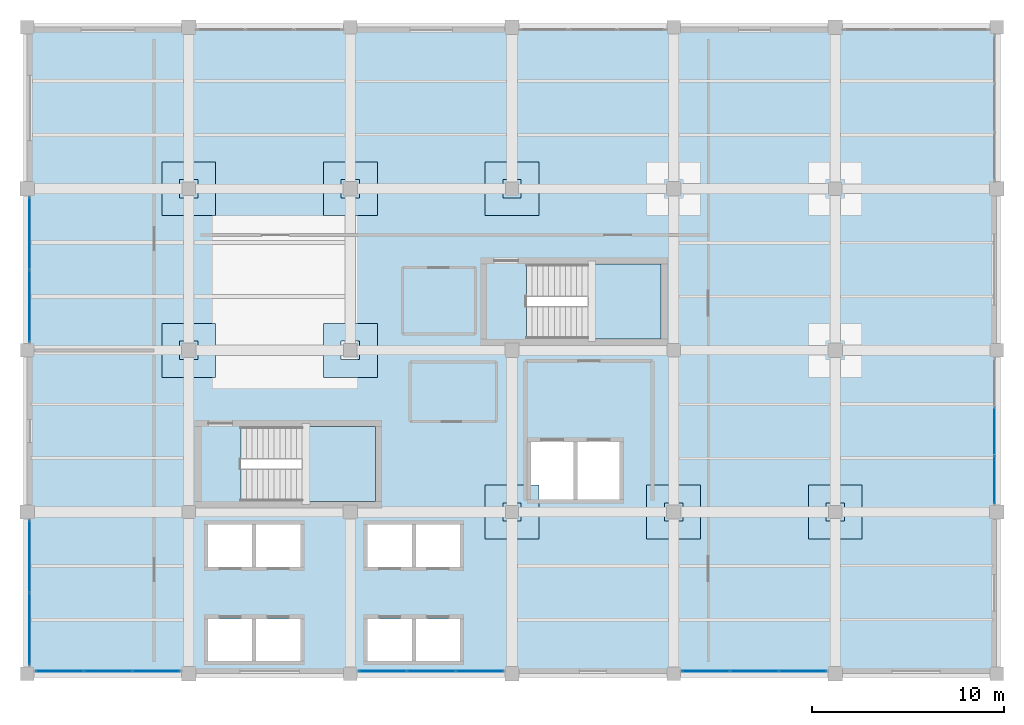
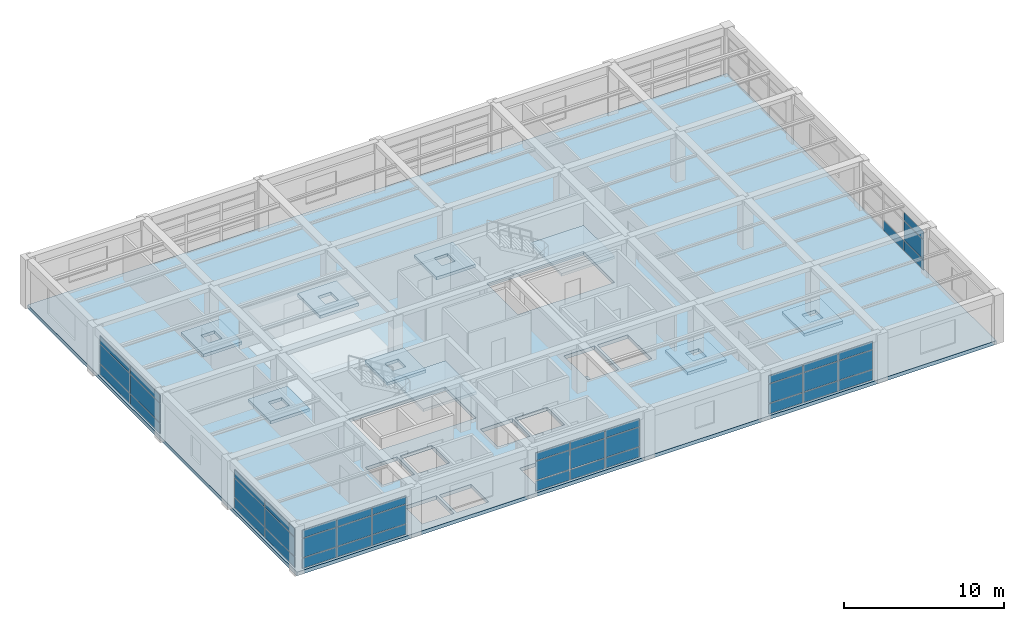
# One storey, part 22 of 26: 43 plates, 11 slabs, 8 elements without a shape of their own.
"""IFC4 building model written with IfcOpenShell, lengths in metres."""

from ifc_helpers import new_model, si_unit, direction, frame, origin, origin_2d, place, context, subcontext, project, spatial, polyline, rectangle, outline, extrude, material, layer, layer_set, type_object, element, aggregate, save


model = new_model("IFC4")

# Units and contexts
model_context = context("Model", 3, precision=1e-05, world=origin(), true_north=direction((0.0, 1.0)))
body_context = subcontext(model_context, "Body", "Model", "MODEL_VIEW")
ifc_project = project(units=[si_unit("LENGTHUNIT", "METRE"), si_unit("AREAUNIT", "SQUARE_METRE"), si_unit("VOLUMEUNIT", "CUBIC_METRE"), si_unit("PLANEANGLEUNIT", "RADIAN"), si_unit("MASSUNIT", "GRAM", prefix="KILO")], contexts=[model_context])

# Site, building, storey
site_placement = place(None, origin())
site = spatial("IfcSite", under=ifc_project, at=site_placement, CompositionType="ELEMENT")
building_placement = place(site_placement, origin())
building = spatial("IfcBuilding", under=site, at=building_placement, Name="Almacenes y Pasaje Nevantli", CompositionType="ELEMENT")
storey_placement = place(building_placement, frame((0.0, 0.0, 38.699951171875)))
storey = spatial("IfcBuildingStorey", under=building, at=storey_placement, Name="L09", CompositionType="ELEMENT", Elevation=38.699951171875)

# Curtain wall, plates
ifc_material_1 = material(Name="Thermally Broken Aluminium and Low-E Glass", Category="aluminium")
curtain_wall_type = type_object("IfcCurtainWallType", Name="CW-UNIT-TOWER", PredefinedType="USERDEFINED", material=ifc_material_1)
curtain_wall_1_placement = place(storey_placement, origin())
curtain_wall_1 = element("IfcCurtainWall", 1, at=curtain_wall_1_placement, inside=storey, type_object=curtain_wall_type, Name="L09 Tower South Unitized Curtain Wall Bay 14", ObjectType="UNITIZED CURTAIN WALL", PredefinedType="USERDEFINED")
ifc_material_2 = material(Name="Low-E Double Glazed Insulated Unit", Category="glass")
ifc_layer_1 = layer(ifc_material_2, 0.031982421875)
ifc_layer_set_1 = layer_set([ifc_layer_1], Name="Low-E Double Glazed Insulated Unit")
plate_type_1 = type_object("IfcPlateType", Name="PL-IGU-32", PredefinedType="CURTAIN_PANEL", material=ifc_layer_set_1)
plate_1_placement = place(storey_placement, frame((110.881591796875, 67.320068359375, 0.06005859375), z_axis=(0.0, 0.0, 1.0), x_axis=(1.0, 0.0, 0.0)))
plate_1 = element("IfcPlate", 2, at=plate_1_placement, type_object=plate_type_1, Name="CW-L09-131 panel 1.1", PredefinedType="CURTAIN_PANEL", context=body_context, shape_type="SweptSolid", body=[
    extrude(rectangle(XDim=2.443359375, YDim=0.031982421875, at=origin_2d()), origin(), (0.0, 0.0, 1.0), 0.760009765625),
])
plate_2_placement = place(storey_placement, frame((110.881591796875, 67.320068359375, 0.880126953125), z_axis=(0.0, 0.0, 1.0), x_axis=(1.0, 0.0, 0.0)))
plate_2 = element("IfcPlate", 3, at=plate_2_placement, type_object=plate_type_1, Name="CW-L09-131 panel 1.2", PredefinedType="CURTAIN_PANEL", context=body_context, shape_type="SweptSolid", body=[
    extrude(rectangle(XDim=2.443359375, YDim=0.031982421875, at=origin_2d()), origin(), (0.0, 0.0, 1.0), 1.43994140625),
])
plate_3_placement = place(storey_placement, frame((110.881591796875, 67.320068359375, 2.3798828125), z_axis=(0.0, 0.0, 1.0), x_axis=(1.0, 0.0, 0.0)))
plate_3 = element("IfcPlate", 4, at=plate_3_placement, type_object=plate_type_1, Name="CW-L09-131 panel 1.3", PredefinedType="CURTAIN_PANEL", context=body_context, shape_type="SweptSolid", body=[
    extrude(rectangle(XDim=2.443359375, YDim=0.031982421875, at=origin_2d()), origin(), (0.0, 0.0, 1.0), 0.60009765625),
])
plate_4_placement = place(storey_placement, frame((113.39990234375, 67.320068359375, 0.06005859375), z_axis=(0.0, 0.0, 1.0), x_axis=(1.0, 0.0, 0.0)))
plate_4 = element("IfcPlate", 5, at=plate_4_placement, type_object=plate_type_1, Name="CW-L09-131 panel 2.1", PredefinedType="CURTAIN_PANEL", context=body_context, shape_type="SweptSolid", body=[
    extrude(rectangle(XDim=2.473388671875, YDim=0.031982421875, at=origin_2d()), origin(), (0.0, 0.0, 1.0), 0.760009765625),
])
plate_5_placement = place(storey_placement, frame((113.39990234375, 67.320068359375, 0.880126953125), z_axis=(0.0, 0.0, 1.0), x_axis=(1.0, 0.0, 0.0)))
plate_5 = element("IfcPlate", 6, at=plate_5_placement, type_object=plate_type_1, Name="CW-L09-131 panel 2.2", PredefinedType="CURTAIN_PANEL", context=body_context, shape_type="SweptSolid", body=[
    extrude(rectangle(XDim=2.473388671875, YDim=0.031982421875, at=origin_2d()), origin(), (0.0, 0.0, 1.0), 1.43994140625),
])
plate_6_placement = place(storey_placement, frame((113.39990234375, 67.320068359375, 2.3798828125), z_axis=(0.0, 0.0, 1.0), x_axis=(1.0, 0.0, 0.0)))
plate_6 = element("IfcPlate", 7, at=plate_6_placement, type_object=plate_type_1, Name="CW-L09-131 panel 2.3", PredefinedType="CURTAIN_PANEL", context=body_context, shape_type="SweptSolid", body=[
    extrude(rectangle(XDim=2.473388671875, YDim=0.031982421875, at=origin_2d()), origin(), (0.0, 0.0, 1.0), 0.60009765625),
])
plate_7_placement = place(storey_placement, frame((115.918212890625, 67.320068359375, 0.06005859375), z_axis=(0.0, 0.0, 1.0), x_axis=(1.0, 0.0, 0.0)))
plate_7 = element("IfcPlate", 8, at=plate_7_placement, type_object=plate_type_1, Name="CW-L09-131 panel 3.1", PredefinedType="CURTAIN_PANEL", context=body_context, shape_type="SweptSolid", body=[
    extrude(rectangle(XDim=2.443359375, YDim=0.031982421875, at=origin_2d()), origin(), (0.0, 0.0, 1.0), 0.760009765625),
])
plate_8_placement = place(storey_placement, frame((115.918212890625, 67.320068359375, 0.880126953125), z_axis=(0.0, 0.0, 1.0), x_axis=(1.0, 0.0, 0.0)))
plate_8 = element("IfcPlate", 9, at=plate_8_placement, type_object=plate_type_1, Name="CW-L09-131 panel 3.2", PredefinedType="CURTAIN_PANEL", context=body_context, shape_type="SweptSolid", body=[
    extrude(rectangle(XDim=2.443359375, YDim=0.031982421875, at=origin_2d()), origin(), (0.0, 0.0, 1.0), 1.43994140625),
])
plate_9_placement = place(storey_placement, frame((115.918212890625, 67.320068359375, 2.3798828125), z_axis=(0.0, 0.0, 1.0), x_axis=(1.0, 0.0, 0.0)))
plate_9 = element("IfcPlate", 10, at=plate_9_placement, type_object=plate_type_1, Name="CW-L09-131 panel 3.3", PredefinedType="CURTAIN_PANEL", context=body_context, shape_type="SweptSolid", body=[
    extrude(rectangle(XDim=2.443359375, YDim=0.031982421875, at=origin_2d()), origin(), (0.0, 0.0, 1.0), 0.60009765625),
])
aggregate(curtain_wall_1, [plate_1, plate_2, plate_3, plate_4, plate_5, plate_6, plate_7, plate_8, plate_9])

curtain_wall_2_placement = place(storey_placement, origin())
curtain_wall_2 = element("IfcCurtainWall", 11, at=curtain_wall_2_placement, inside=storey, type_object=curtain_wall_type, Name="L09 Tower South Unitized Curtain Wall Bay 16", ObjectType="UNITIZED CURTAIN WALL", PredefinedType="USERDEFINED")
plate_10_placement = place(storey_placement, frame((127.681640625, 67.320068359375, 0.06005859375), z_axis=(0.0, 0.0, 1.0), x_axis=(1.0, 0.0, 0.0)))
plate_10 = element("IfcPlate", 12, at=plate_10_placement, type_object=plate_type_1, Name="CW-L09-133 panel 1.1", PredefinedType="CURTAIN_PANEL", context=body_context, shape_type="SweptSolid", body=[
    extrude(rectangle(XDim=2.443359375, YDim=0.031982421875, at=origin_2d()), origin(), (0.0, 0.0, 1.0), 0.760009765625),
])
plate_11_placement = place(storey_placement, frame((127.681640625, 67.320068359375, 0.880126953125), z_axis=(0.0, 0.0, 1.0), x_axis=(1.0, 0.0, 0.0)))
plate_11 = element("IfcPlate", 13, at=plate_11_placement, type_object=plate_type_1, Name="CW-L09-133 panel 1.2", PredefinedType="CURTAIN_PANEL", context=body_context, shape_type="SweptSolid", body=[
    extrude(rectangle(XDim=2.443359375, YDim=0.031982421875, at=origin_2d()), origin(), (0.0, 0.0, 1.0), 1.43994140625),
])
plate_12_placement = place(storey_placement, frame((127.681640625, 67.320068359375, 2.3798828125), z_axis=(0.0, 0.0, 1.0), x_axis=(1.0, 0.0, 0.0)))
plate_12 = element("IfcPlate", 14, at=plate_12_placement, type_object=plate_type_1, Name="CW-L09-133 panel 1.3", PredefinedType="CURTAIN_PANEL", context=body_context, shape_type="SweptSolid", body=[
    extrude(rectangle(XDim=2.443359375, YDim=0.031982421875, at=origin_2d()), origin(), (0.0, 0.0, 1.0), 0.60009765625),
])
plate_13_placement = place(storey_placement, frame((130.199951171875, 67.320068359375, 0.06005859375), z_axis=(0.0, 0.0, 1.0), x_axis=(1.0, 0.0, 0.0)))
plate_13 = element("IfcPlate", 15, at=plate_13_placement, type_object=plate_type_1, Name="CW-L09-133 panel 2.1", PredefinedType="CURTAIN_PANEL", context=body_context, shape_type="SweptSolid", body=[
    extrude(rectangle(XDim=2.473388671875, YDim=0.031982421875, at=origin_2d()), origin(), (0.0, 0.0, 1.0), 0.760009765625),
])
plate_14_placement = place(storey_placement, frame((130.199951171875, 67.320068359375, 0.880126953125), z_axis=(0.0, 0.0, 1.0), x_axis=(1.0, 0.0, 0.0)))
plate_14 = element("IfcPlate", 16, at=plate_14_placement, type_object=plate_type_1, Name="CW-L09-133 panel 2.2", PredefinedType="CURTAIN_PANEL", context=body_context, shape_type="SweptSolid", body=[
    extrude(rectangle(XDim=2.473388671875, YDim=0.031982421875, at=origin_2d()), origin(), (0.0, 0.0, 1.0), 1.43994140625),
])
plate_15_placement = place(storey_placement, frame((130.199951171875, 67.320068359375, 2.3798828125), z_axis=(0.0, 0.0, 1.0), x_axis=(1.0, 0.0, 0.0)))
plate_15 = element("IfcPlate", 17, at=plate_15_placement, type_object=plate_type_1, Name="CW-L09-133 panel 2.3", PredefinedType="CURTAIN_PANEL", context=body_context, shape_type="SweptSolid", body=[
    extrude(rectangle(XDim=2.473388671875, YDim=0.031982421875, at=origin_2d()), origin(), (0.0, 0.0, 1.0), 0.60009765625),
])
plate_16_placement = place(storey_placement, frame((132.71826171875, 67.320068359375, 0.06005859375), z_axis=(0.0, 0.0, 1.0), x_axis=(1.0, 0.0, 0.0)))
plate_16 = element("IfcPlate", 18, at=plate_16_placement, type_object=plate_type_1, Name="CW-L09-133 panel 3.1", PredefinedType="CURTAIN_PANEL", context=body_context, shape_type="SweptSolid", body=[
    extrude(rectangle(XDim=2.443359375, YDim=0.031982421875, at=origin_2d()), origin(), (0.0, 0.0, 1.0), 0.760009765625),
])
plate_17_placement = place(storey_placement, frame((132.71826171875, 67.320068359375, 0.880126953125), z_axis=(0.0, 0.0, 1.0), x_axis=(1.0, 0.0, 0.0)))
plate_17 = element("IfcPlate", 19, at=plate_17_placement, type_object=plate_type_1, Name="CW-L09-133 panel 3.2", PredefinedType="CURTAIN_PANEL", context=body_context, shape_type="SweptSolid", body=[
    extrude(rectangle(XDim=2.443359375, YDim=0.031982421875, at=origin_2d()), origin(), (0.0, 0.0, 1.0), 1.43994140625),
])
plate_18_placement = place(storey_placement, frame((132.71826171875, 67.320068359375, 2.3798828125), z_axis=(0.0, 0.0, 1.0), x_axis=(1.0, 0.0, 0.0)))
plate_18 = element("IfcPlate", 20, at=plate_18_placement, type_object=plate_type_1, Name="CW-L09-133 panel 3.3", PredefinedType="CURTAIN_PANEL", context=body_context, shape_type="SweptSolid", body=[
    extrude(rectangle(XDim=2.443359375, YDim=0.031982421875, at=origin_2d()), origin(), (0.0, 0.0, 1.0), 0.60009765625),
])
aggregate(curtain_wall_2, [plate_10, plate_11, plate_12, plate_13, plate_14, plate_15, plate_16, plate_17, plate_18])

curtain_wall_3_placement = place(storey_placement, origin())
curtain_wall_3 = element("IfcCurtainWall", 21, at=curtain_wall_3_placement, inside=storey, type_object=curtain_wall_type, Name="L09 Tower South Unitized Curtain Wall Bay 18", ObjectType="UNITIZED CURTAIN WALL", PredefinedType="USERDEFINED")
plate_19_placement = place(storey_placement, frame((144.481689453125, 67.320068359375, 0.06005859375), z_axis=(0.0, 0.0, 1.0), x_axis=(1.0, 0.0, 0.0)))
plate_19 = element("IfcPlate", 22, at=plate_19_placement, type_object=plate_type_1, Name="CW-L09-135 panel 1.1", PredefinedType="CURTAIN_PANEL", context=body_context, shape_type="SweptSolid", body=[
    extrude(rectangle(XDim=2.443359375, YDim=0.031982421875, at=origin_2d()), origin(), (0.0, 0.0, 1.0), 0.760009765625),
])
plate_20_placement = place(storey_placement, frame((144.481689453125, 67.320068359375, 0.880126953125), z_axis=(0.0, 0.0, 1.0), x_axis=(1.0, 0.0, 0.0)))
plate_20 = element("IfcPlate", 23, at=plate_20_placement, type_object=plate_type_1, Name="CW-L09-135 panel 1.2", PredefinedType="CURTAIN_PANEL", context=body_context, shape_type="SweptSolid", body=[
    extrude(rectangle(XDim=2.443359375, YDim=0.031982421875, at=origin_2d()), origin(), (0.0, 0.0, 1.0), 1.43994140625),
])
plate_21_placement = place(storey_placement, frame((144.481689453125, 67.320068359375, 2.3798828125), z_axis=(0.0, 0.0, 1.0), x_axis=(1.0, 0.0, 0.0)))
plate_21 = element("IfcPlate", 24, at=plate_21_placement, type_object=plate_type_1, Name="CW-L09-135 panel 1.3", PredefinedType="CURTAIN_PANEL", context=body_context, shape_type="SweptSolid", body=[
    extrude(rectangle(XDim=2.443359375, YDim=0.031982421875, at=origin_2d()), origin(), (0.0, 0.0, 1.0), 0.60009765625),
])
plate_22_placement = place(storey_placement, frame((147.0, 67.320068359375, 0.06005859375), z_axis=(0.0, 0.0, 1.0), x_axis=(1.0, 0.0, 0.0)))
plate_22 = element("IfcPlate", 25, at=plate_22_placement, type_object=plate_type_1, Name="CW-L09-135 panel 2.1", PredefinedType="CURTAIN_PANEL", context=body_context, shape_type="SweptSolid", body=[
    extrude(rectangle(XDim=2.473388671875, YDim=0.031982421875, at=origin_2d()), origin(), (0.0, 0.0, 1.0), 0.760009765625),
])
plate_23_placement = place(storey_placement, frame((147.0, 67.320068359375, 0.880126953125), z_axis=(0.0, 0.0, 1.0), x_axis=(1.0, 0.0, 0.0)))
plate_23 = element("IfcPlate", 26, at=plate_23_placement, type_object=plate_type_1, Name="CW-L09-135 panel 2.2", PredefinedType="CURTAIN_PANEL", context=body_context, shape_type="SweptSolid", body=[
    extrude(rectangle(XDim=2.473388671875, YDim=0.031982421875, at=origin_2d()), origin(), (0.0, 0.0, 1.0), 1.43994140625),
])
plate_24_placement = place(storey_placement, frame((147.0, 67.320068359375, 2.3798828125), z_axis=(0.0, 0.0, 1.0), x_axis=(1.0, 0.0, 0.0)))
plate_24 = element("IfcPlate", 27, at=plate_24_placement, type_object=plate_type_1, Name="CW-L09-135 panel 2.3", PredefinedType="CURTAIN_PANEL", context=body_context, shape_type="SweptSolid", body=[
    extrude(rectangle(XDim=2.473388671875, YDim=0.031982421875, at=origin_2d()), origin(), (0.0, 0.0, 1.0), 0.60009765625),
])
plate_25_placement = place(storey_placement, frame((149.518310546875, 67.320068359375, 0.06005859375), z_axis=(0.0, 0.0, 1.0), x_axis=(1.0, 0.0, 0.0)))
plate_25 = element("IfcPlate", 28, at=plate_25_placement, type_object=plate_type_1, Name="CW-L09-135 panel 3.1", PredefinedType="CURTAIN_PANEL", context=body_context, shape_type="SweptSolid", body=[
    extrude(rectangle(XDim=2.443359375, YDim=0.031982421875, at=origin_2d()), origin(), (0.0, 0.0, 1.0), 0.760009765625),
])
plate_26_placement = place(storey_placement, frame((149.518310546875, 67.320068359375, 0.880126953125), z_axis=(0.0, 0.0, 1.0), x_axis=(1.0, 0.0, 0.0)))
plate_26 = element("IfcPlate", 29, at=plate_26_placement, type_object=plate_type_1, Name="CW-L09-135 panel 3.2", PredefinedType="CURTAIN_PANEL", context=body_context, shape_type="SweptSolid", body=[
    extrude(rectangle(XDim=2.443359375, YDim=0.031982421875, at=origin_2d()), origin(), (0.0, 0.0, 1.0), 1.43994140625),
])
plate_27_placement = place(storey_placement, frame((149.518310546875, 67.320068359375, 2.3798828125), z_axis=(0.0, 0.0, 1.0), x_axis=(1.0, 0.0, 0.0)))
plate_27 = element("IfcPlate", 30, at=plate_27_placement, type_object=plate_type_1, Name="CW-L09-135 panel 3.3", PredefinedType="CURTAIN_PANEL", context=body_context, shape_type="SweptSolid", body=[
    extrude(rectangle(XDim=2.443359375, YDim=0.031982421875, at=origin_2d()), origin(), (0.0, 0.0, 1.0), 0.60009765625),
])
aggregate(curtain_wall_3, [plate_19, plate_20, plate_21, plate_22, plate_23, plate_24, plate_25, plate_26, plate_27])

curtain_wall_4_placement = place(storey_placement, origin())
curtain_wall_4 = element("IfcCurtainWall", 31, at=curtain_wall_4_placement, inside=storey, type_object=curtain_wall_type, Name="L09 Tower West Curtain Wall Bay 9", ObjectType="UNITIZED CURTAIN WALL", PredefinedType="USERDEFINED")
plate_28_placement = place(storey_placement, frame((109.320068359375, 69.514892578125, 0.06005859375), z_axis=(0.0, 0.0, 1.0), x_axis=(0.0, 1.0, 0.0)))
plate_28 = element("IfcPlate", 32, at=plate_28_placement, type_object=plate_type_1, Name="CW-L09-137 panel 1.1", PredefinedType="CURTAIN_PANEL", context=body_context, shape_type="SweptSolid", body=[
    extrude(rectangle(XDim=3.7099609375, YDim=0.031982421875, at=origin_2d()), origin(), (0.0, 0.0, 1.0), 0.760009765625),
])
plate_29_placement = place(storey_placement, frame((109.320068359375, 69.514892578125, 0.880126953125), z_axis=(0.0, 0.0, 1.0), x_axis=(0.0, 1.0, 0.0)))
plate_29 = element("IfcPlate", 33, at=plate_29_placement, type_object=plate_type_1, Name="CW-L09-137 panel 1.2", PredefinedType="CURTAIN_PANEL", context=body_context, shape_type="SweptSolid", body=[
    extrude(rectangle(XDim=3.7099609375, YDim=0.031982421875, at=origin_2d()), origin(), (0.0, 0.0, 1.0), 1.43994140625),
])
plate_30_placement = place(storey_placement, frame((109.320068359375, 69.514892578125, 2.3798828125), z_axis=(0.0, 0.0, 1.0), x_axis=(0.0, 1.0, 0.0)))
plate_30 = element("IfcPlate", 34, at=plate_30_placement, type_object=plate_type_1, Name="CW-L09-137 panel 1.3", PredefinedType="CURTAIN_PANEL", context=body_context, shape_type="SweptSolid", body=[
    extrude(rectangle(XDim=3.7099609375, YDim=0.031982421875, at=origin_2d()), origin(), (0.0, 0.0, 1.0), 0.60009765625),
])
plate_31_placement = place(storey_placement, frame((109.320068359375, 73.284912109375, 0.06005859375), z_axis=(0.0, 0.0, 1.0), x_axis=(0.0, 1.0, 0.0)))
plate_31 = element("IfcPlate", 35, at=plate_31_placement, type_object=plate_type_1, Name="CW-L09-137 panel 2.1", PredefinedType="CURTAIN_PANEL", context=body_context, shape_type="SweptSolid", body=[
    extrude(rectangle(XDim=3.7099609375, YDim=0.031982421875, at=origin_2d()), origin(), (0.0, 0.0, 1.0), 0.760009765625),
])
plate_32_placement = place(storey_placement, frame((109.320068359375, 73.284912109375, 0.880126953125), z_axis=(0.0, 0.0, 1.0), x_axis=(0.0, 1.0, 0.0)))
plate_32 = element("IfcPlate", 36, at=plate_32_placement, type_object=plate_type_1, Name="CW-L09-137 panel 2.2", PredefinedType="CURTAIN_PANEL", context=body_context, shape_type="SweptSolid", body=[
    extrude(rectangle(XDim=3.7099609375, YDim=0.031982421875, at=origin_2d()), origin(), (0.0, 0.0, 1.0), 1.43994140625),
])
plate_33_placement = place(storey_placement, frame((109.320068359375, 73.284912109375, 2.3798828125), z_axis=(0.0, 0.0, 1.0), x_axis=(0.0, 1.0, 0.0)))
plate_33 = element("IfcPlate", 37, at=plate_33_placement, type_object=plate_type_1, Name="CW-L09-137 panel 2.3", PredefinedType="CURTAIN_PANEL", context=body_context, shape_type="SweptSolid", body=[
    extrude(rectangle(XDim=3.7099609375, YDim=0.031982421875, at=origin_2d()), origin(), (0.0, 0.0, 1.0), 0.60009765625),
])
aggregate(curtain_wall_4, [plate_28, plate_29, plate_30, plate_31, plate_32, plate_33])

curtain_wall_5_placement = place(storey_placement, origin())
curtain_wall_5 = element("IfcCurtainWall", 38, at=curtain_wall_5_placement, inside=storey, type_object=curtain_wall_type, Name="L09 Tower West Curtain Wall Bay 11", ObjectType="UNITIZED CURTAIN WALL", PredefinedType="USERDEFINED")
plate_34_placement = place(storey_placement, frame((109.320068359375, 86.31494140625, 0.06005859375), z_axis=(0.0, 0.0, 1.0), x_axis=(0.0, 1.0, 0.0)))
plate_34 = element("IfcPlate", 39, at=plate_34_placement, type_object=plate_type_1, Name="CW-L09-139 panel 1.1", PredefinedType="CURTAIN_PANEL", context=body_context, shape_type="SweptSolid", body=[
    extrude(rectangle(XDim=3.7099609375, YDim=0.031982421875, at=origin_2d()), origin(), (0.0, 0.0, 1.0), 0.760009765625),
])
plate_35_placement = place(storey_placement, frame((109.320068359375, 86.31494140625, 0.880126953125), z_axis=(0.0, 0.0, 1.0), x_axis=(0.0, 1.0, 0.0)))
plate_35 = element("IfcPlate", 40, at=plate_35_placement, type_object=plate_type_1, Name="CW-L09-139 panel 1.2", PredefinedType="CURTAIN_PANEL", context=body_context, shape_type="SweptSolid", body=[
    extrude(rectangle(XDim=3.7099609375, YDim=0.031982421875, at=origin_2d()), origin(), (0.0, 0.0, 1.0), 1.43994140625),
])
plate_36_placement = place(storey_placement, frame((109.320068359375, 86.31494140625, 2.3798828125), z_axis=(0.0, 0.0, 1.0), x_axis=(0.0, 1.0, 0.0)))
plate_36 = element("IfcPlate", 41, at=plate_36_placement, type_object=plate_type_1, Name="CW-L09-139 panel 1.3", PredefinedType="CURTAIN_PANEL", context=body_context, shape_type="SweptSolid", body=[
    extrude(rectangle(XDim=3.7099609375, YDim=0.031982421875, at=origin_2d()), origin(), (0.0, 0.0, 1.0), 0.60009765625),
])
plate_37_placement = place(storey_placement, frame((109.320068359375, 90.0849609375, 0.06005859375), z_axis=(0.0, 0.0, 1.0), x_axis=(0.0, 1.0, 0.0)))
plate_37 = element("IfcPlate", 42, at=plate_37_placement, type_object=plate_type_1, Name="CW-L09-139 panel 2.1", PredefinedType="CURTAIN_PANEL", context=body_context, shape_type="SweptSolid", body=[
    extrude(rectangle(XDim=3.7099609375, YDim=0.031982421875, at=origin_2d()), origin(), (0.0, 0.0, 1.0), 0.760009765625),
])
plate_38_placement = place(storey_placement, frame((109.320068359375, 90.0849609375, 0.880126953125), z_axis=(0.0, 0.0, 1.0), x_axis=(0.0, 1.0, 0.0)))
plate_38 = element("IfcPlate", 43, at=plate_38_placement, type_object=plate_type_1, Name="CW-L09-139 panel 2.2", PredefinedType="CURTAIN_PANEL", context=body_context, shape_type="SweptSolid", body=[
    extrude(rectangle(XDim=3.7099609375, YDim=0.031982421875, at=origin_2d()), origin(), (0.0, 0.0, 1.0), 1.43994140625),
])
plate_39_placement = place(storey_placement, frame((109.320068359375, 90.0849609375, 2.3798828125), z_axis=(0.0, 0.0, 1.0), x_axis=(0.0, 1.0, 0.0)))
plate_39 = element("IfcPlate", 44, at=plate_39_placement, type_object=plate_type_1, Name="CW-L09-139 panel 2.3", PredefinedType="CURTAIN_PANEL", context=body_context, shape_type="SweptSolid", body=[
    extrude(rectangle(XDim=3.7099609375, YDim=0.031982421875, at=origin_2d()), origin(), (0.0, 0.0, 1.0), 0.60009765625),
])
aggregate(curtain_wall_5, [plate_34, plate_35, plate_36, plate_37, plate_38, plate_39])

curtain_wall_6_placement = place(storey_placement, origin())
curtain_wall_6 = element("IfcCurtainWall", 45, at=curtain_wall_6_placement, inside=storey, type_object=curtain_wall_type, Name="L09 Tower East Curtain Wall Bay 10", ObjectType="UNITIZED CURTAIN WALL", PredefinedType="USERDEFINED")
ifc_material_3 = material(Name="Acoustic Tempered Low-E Triple Glazed Unit", Category="glass")
ifc_layer_2 = layer(ifc_material_3, 0.0419921875)
ifc_layer_set_2 = layer_set([ifc_layer_2], Name="Acoustic Tempered Low-E Triple Glazed Unit")
plate_type_2 = type_object("IfcPlateType", Name="PL-IGU-42", PredefinedType="CURTAIN_PANEL", material=ifc_layer_set_2)
plate_40_placement = place(storey_placement, frame((159.47998046875, 77.28173828125, 0.06005859375), z_axis=(0.0, 0.0, 1.0), x_axis=(0.0, 1.0, 0.0)))
plate_40 = element("IfcPlate", 46, at=plate_40_placement, type_object=plate_type_2, Name="CW-L09-138 panel 1.1", PredefinedType="CURTAIN_PANEL", context=body_context, shape_type="SweptSolid", body=[
    extrude(rectangle(XDim=2.443359375, YDim=0.0419921875, at=origin_2d()), origin(), (0.0, 0.0, 1.0), 0.760009765625),
])
plate_41_placement = place(storey_placement, frame((159.47998046875, 77.28173828125, 0.880126953125), z_axis=(0.0, 0.0, 1.0), x_axis=(0.0, 1.0, 0.0)))
plate_41 = element("IfcPlate", 47, at=plate_41_placement, type_object=plate_type_2, Name="CW-L09-138 panel 1.2", PredefinedType="CURTAIN_PANEL", context=body_context, shape_type="SweptSolid", body=[
    extrude(rectangle(XDim=2.443359375, YDim=0.0419921875, at=origin_2d()), origin(), (0.0, 0.0, 1.0), 1.43994140625),
])
plate_42_placement = place(storey_placement, frame((159.47998046875, 77.28173828125, 2.3798828125), z_axis=(0.0, 0.0, 1.0), x_axis=(0.0, 1.0, 0.0)))
plate_42 = element("IfcPlate", 48, at=plate_42_placement, type_object=plate_type_2, Name="CW-L09-138 panel 1.3", PredefinedType="CURTAIN_PANEL", context=body_context, shape_type="SweptSolid", body=[
    extrude(rectangle(XDim=2.443359375, YDim=0.0419921875, at=origin_2d()), origin(), (0.0, 0.0, 1.0), 0.60009765625),
])
plate_43_placement = place(storey_placement, frame((159.47998046875, 79.800048828125, 0.06005859375), z_axis=(0.0, 0.0, 1.0), x_axis=(0.0, 1.0, 0.0)))
plate_43 = element("IfcPlate", 49, at=plate_43_placement, type_object=plate_type_2, Name="CW-L09-138 panel 2.1", PredefinedType="CURTAIN_PANEL", context=body_context, shape_type="SweptSolid", body=[
    extrude(rectangle(XDim=2.473388671875, YDim=0.0419921875, at=origin_2d()), origin(), (0.0, 0.0, 1.0), 0.760009765625),
])
aggregate(curtain_wall_6, [plate_40, plate_41, plate_42, plate_43])

# Slabs
ifc_material_4 = material(Name="Concrete C35/45", Category="concrete")
ifc_layer_3 = layer(ifc_material_4, 0.22998046875)
ifc_layer_set_3 = layer_set([ifc_layer_3], Name="Concrete C35/45")
slab_type_1 = type_object("IfcSlabType", Name="SLB-DP-230", PredefinedType="USERDEFINED", material=ifc_layer_set_3)
slab_1_placement = place(storey_placement, frame((0.0, 0.0, -0.510009765625)))
element("IfcSlab", 50, at=slab_1_placement, inside=storey, type_object=slab_type_1, Name="L09 Punching-Shear Drop Panel DP-01 #1132", ObjectType="DROP PANEL", PredefinedType="USERDEFINED", context=body_context, shape_type="SweptSolid", body=[
    extrude(outline(polyline([(116.199951171875, 82.60009765625), (119.0, 82.60009765625), (119.0, 85.39990234375), (116.199951171875, 85.39990234375), (116.199951171875, 82.60009765625)]), holes=[polyline([(117.1201171875, 83.52001953125), (118.080078125, 83.52001953125), (118.080078125, 84.47998046875), (117.1201171875, 84.47998046875), (117.1201171875, 83.52001953125)])]), origin(), (0.0, 0.0, 1.0), 0.22998046875),
])
slab_2_placement = place(storey_placement, frame((0.0, 0.0, -0.510009765625)))
element("IfcSlab", 51, at=slab_2_placement, inside=storey, type_object=slab_type_1, Name="L09 Punching-Shear Drop Panel DP-01 #1133", ObjectType="DROP PANEL", PredefinedType="USERDEFINED", context=body_context, shape_type="SweptSolid", body=[
    extrude(outline(polyline([(116.199951171875, 91.0), (119.0, 91.0), (119.0, 93.800048828125), (116.199951171875, 93.800048828125), (116.199951171875, 91.0)]), holes=[polyline([(117.1201171875, 91.919921875), (118.080078125, 91.919921875), (118.080078125, 92.8798828125), (117.1201171875, 92.8798828125), (117.1201171875, 91.919921875)])]), origin(), (0.0, 0.0, 1.0), 0.22998046875),
])
slab_3_placement = place(storey_placement, frame((0.0, 0.0, -0.510009765625)))
element("IfcSlab", 52, at=slab_3_placement, inside=storey, type_object=slab_type_1, Name="L09 Punching-Shear Drop Panel DP-01 #1134", ObjectType="DROP PANEL", PredefinedType="USERDEFINED", context=body_context, shape_type="SweptSolid", body=[
    extrude(outline(polyline([(124.60009765625, 82.60009765625), (127.39990234375, 82.60009765625), (127.39990234375, 85.39990234375), (124.60009765625, 85.39990234375), (124.60009765625, 82.60009765625)]), holes=[polyline([(125.52001953125, 83.52001953125), (126.47998046875, 83.52001953125), (126.47998046875, 84.47998046875), (125.52001953125, 84.47998046875), (125.52001953125, 83.52001953125)])]), origin(), (0.0, 0.0, 1.0), 0.22998046875),
])
slab_4_placement = place(storey_placement, frame((0.0, 0.0, -0.510009765625)))
element("IfcSlab", 53, at=slab_4_placement, inside=storey, type_object=slab_type_1, Name="L09 Punching-Shear Drop Panel DP-01 #1135", ObjectType="DROP PANEL", PredefinedType="USERDEFINED", context=body_context, shape_type="SweptSolid", body=[
    extrude(outline(polyline([(124.60009765625, 91.0), (127.39990234375, 91.0), (127.39990234375, 93.800048828125), (124.60009765625, 93.800048828125), (124.60009765625, 91.0)]), holes=[polyline([(125.52001953125, 91.919921875), (126.47998046875, 91.919921875), (126.47998046875, 92.8798828125), (125.52001953125, 92.8798828125), (125.52001953125, 91.919921875)])]), origin(), (0.0, 0.0, 1.0), 0.22998046875),
])
slab_5_placement = place(storey_placement, frame((0.0, 0.0, -0.510009765625)))
element("IfcSlab", 54, at=slab_5_placement, inside=storey, type_object=slab_type_1, Name="L09 Punching-Shear Drop Panel DP-01 #1136", ObjectType="DROP PANEL", PredefinedType="USERDEFINED", context=body_context, shape_type="SweptSolid", body=[
    extrude(outline(polyline([(133.0, 74.199951171875), (135.800048828125, 74.199951171875), (135.800048828125, 77.0), (133.0, 77.0), (133.0, 74.199951171875)]), holes=[polyline([(133.919921875, 75.1201171875), (134.8798828125, 75.1201171875), (134.8798828125, 76.080078125), (133.919921875, 76.080078125), (133.919921875, 75.1201171875)])]), origin(), (0.0, 0.0, 1.0), 0.22998046875),
])
slab_6_placement = place(storey_placement, frame((0.0, 0.0, -0.510009765625)))
element("IfcSlab", 55, at=slab_6_placement, inside=storey, type_object=slab_type_1, Name="L09 Punching-Shear Drop Panel DP-01 #1137", ObjectType="DROP PANEL", PredefinedType="USERDEFINED", context=body_context, shape_type="SweptSolid", body=[
    extrude(outline(polyline([(133.0, 91.0), (135.800048828125, 91.0), (135.800048828125, 93.800048828125), (133.0, 93.800048828125), (133.0, 91.0)]), holes=[polyline([(133.919921875, 91.919921875), (134.8798828125, 91.919921875), (134.8798828125, 92.8798828125), (133.919921875, 92.8798828125), (133.919921875, 91.919921875)])]), origin(), (0.0, 0.0, 1.0), 0.22998046875),
])
slab_7_placement = place(storey_placement, frame((0.0, 0.0, -0.510009765625)))
element("IfcSlab", 56, at=slab_7_placement, inside=storey, type_object=slab_type_1, Name="L09 Punching-Shear Drop Panel DP-01 #1138", ObjectType="DROP PANEL", PredefinedType="USERDEFINED", context=body_context, shape_type="SweptSolid", body=[
    extrude(outline(polyline([(141.39990234375, 74.199951171875), (144.199951171875, 74.199951171875), (144.199951171875, 77.0), (141.39990234375, 77.0), (141.39990234375, 74.199951171875)]), holes=[polyline([(142.320068359375, 75.1201171875), (143.280029296875, 75.1201171875), (143.280029296875, 76.080078125), (142.320068359375, 76.080078125), (142.320068359375, 75.1201171875)])]), origin(), (0.0, 0.0, 1.0), 0.22998046875),
])
slab_8_placement = place(storey_placement, frame((0.0, 0.0, -0.510009765625)))
element("IfcSlab", 57, at=slab_8_placement, inside=storey, type_object=slab_type_1, Name="L09 Punching-Shear Drop Panel DP-01 #1140", ObjectType="DROP PANEL", PredefinedType="USERDEFINED", context=body_context, shape_type="SweptSolid", body=[
    extrude(outline(polyline([(149.800048828125, 74.199951171875), (152.60009765625, 74.199951171875), (152.60009765625, 77.0), (149.800048828125, 77.0), (149.800048828125, 74.199951171875)]), holes=[polyline([(150.719970703125, 75.1201171875), (151.679931640625, 75.1201171875), (151.679931640625, 76.080078125), (150.719970703125, 76.080078125), (150.719970703125, 75.1201171875)])]), origin(), (0.0, 0.0, 1.0), 0.22998046875),
])
ifc_material_5 = material(Name="Concrete C35/45", Category="concrete")
ifc_layer_4 = layer(ifc_material_5, 0.280029296875)
ifc_layer_set_4 = layer_set([ifc_layer_4], Name="Concrete C35/45")
slab_type_2 = type_object("IfcSlabType", Name="SLB-FLR-280", PredefinedType="FLOOR", material=ifc_layer_set_4)
slab_9_placement = place(storey_placement, frame((0.0, 0.0, -0.280029296875)))
element("IfcSlab", 58, at=slab_9_placement, inside=storey, type_object=slab_type_2, Name="L09 Corporate Office Tower Floor Slab", PredefinedType="FLOOR", context=body_context, shape_type="SweptSolid", body=[
    extrude(outline(polyline([(109.199951171875, 67.199951171875), (159.60009765625, 67.199951171875), (159.60009765625, 100.800048828125), (109.199951171875, 100.800048828125), (109.199951171875, 67.199951171875)]), holes=[polyline([(120.31494140625, 76.14990234375), (127.300048828125, 76.14990234375), (127.300048828125, 80.0400390625), (120.31494140625, 80.0400390625), (120.31494140625, 76.14990234375)]), polyline([(135.1650390625, 84.60009765625), (142.14990234375, 84.60009765625), (142.14990234375, 88.489990234375), (135.1650390625, 88.489990234375), (135.1650390625, 84.60009765625)]), polyline([(126.89990234375, 67.85009765625), (129.199951171875, 67.85009765625), (129.199951171875, 70.050048828125), (126.89990234375, 70.050048828125), (126.89990234375, 67.85009765625)]), polyline([(129.39990234375, 67.85009765625), (131.699951171875, 67.85009765625), (131.699951171875, 70.050048828125), (129.39990234375, 70.050048828125), (129.39990234375, 67.85009765625)]), polyline([(126.89990234375, 72.75), (129.199951171875, 72.75), (129.199951171875, 74.949951171875), (126.89990234375, 74.949951171875), (126.89990234375, 72.75)]), polyline([(129.39990234375, 72.75), (131.699951171875, 72.75), (131.699951171875, 74.949951171875), (129.39990234375, 74.949951171875), (129.39990234375, 72.75)]), polyline([(118.60009765625, 67.85009765625), (120.89990234375, 67.85009765625), (120.89990234375, 70.050048828125), (118.60009765625, 70.050048828125), (118.60009765625, 67.85009765625)]), polyline([(121.10009765625, 67.85009765625), (123.39990234375, 67.85009765625), (123.39990234375, 70.050048828125), (121.10009765625, 70.050048828125), (121.10009765625, 67.85009765625)]), polyline([(118.60009765625, 72.75), (120.89990234375, 72.75), (120.89990234375, 74.949951171875), (118.60009765625, 74.949951171875), (118.60009765625, 72.75)]), polyline([(121.10009765625, 72.75), (123.39990234375, 72.75), (123.39990234375, 74.949951171875), (121.10009765625, 74.949951171875), (121.10009765625, 72.75)]), polyline([(135.39990234375, 76.25), (137.60009765625, 76.25), (137.60009765625, 79.25), (135.39990234375, 79.25), (135.39990234375, 76.25)]), polyline([(137.800048828125, 76.25), (140.0, 76.25), (140.0, 79.25), (137.800048828125, 79.25), (137.800048828125, 76.25)])]), origin(), (0.0, 0.0, 1.0), 0.280029296875),
])

# Stair, slab
ifc_material_6 = material(Name="Concrete C35/45", Category="concrete")
stair_type = type_object("IfcStairType", Name="STR-CORE-1720", PredefinedType="HALF_TURN_STAIR", material=ifc_material_6)
stair_1_placement = place(storey_placement, origin())
stair_1 = element("IfcStair", 59, at=stair_1_placement, inside=storey, type_object=stair_type, Name="L09 Staircase ST-01", PredefinedType="HALF_TURN_STAIR")
ifc_material_7 = material(Name="Concrete C35/45", Category="concrete")
ifc_layer_5 = layer(ifc_material_7, 0.199951171875)
ifc_layer_set_5 = layer_set([ifc_layer_5], Name="Concrete C35/45")
slab_type_3 = type_object("IfcSlabType", Name="SLB-LAND-200", PredefinedType="LANDING", material=ifc_layer_set_5)
slab_10_placement = place(storey_placement, frame((0.0, 0.0, 1.800048828125)))
slab_10 = element("IfcSlab", 60, at=slab_10_placement, type_object=slab_type_3, Name="ST-01-L09 landing 1", PredefinedType="LANDING", context=body_context, shape_type="SweptSolid", body=[
    extrude(outline(polyline([(123.47509765625, 76.14990234375), (127.300048828125, 76.14990234375), (127.300048828125, 80.0400390625), (123.47509765625, 80.0400390625), (123.47509765625, 76.14990234375)])), origin(), (0.0, 0.0, 1.0), 0.199951171875),
])
aggregate(stair_1, [slab_10])

stair_2_placement = place(storey_placement, origin())
stair_2 = element("IfcStair", 61, at=stair_2_placement, inside=storey, type_object=stair_type, Name="L09 Staircase ST-02", PredefinedType="HALF_TURN_STAIR")
slab_11_placement = place(storey_placement, frame((0.0, 0.0, 1.800048828125)))
slab_11 = element("IfcSlab", 62, at=slab_11_placement, type_object=slab_type_3, Name="ST-02-L09 landing 1", PredefinedType="LANDING", context=body_context, shape_type="SweptSolid", body=[
    extrude(outline(polyline([(138.324951171875, 84.60009765625), (142.14990234375, 84.60009765625), (142.14990234375, 88.489990234375), (138.324951171875, 88.489990234375), (138.324951171875, 84.60009765625)])), origin(), (0.0, 0.0, 1.0), 0.199951171875),
])
aggregate(stair_2, [slab_11])

save(model, "model.ifc")
